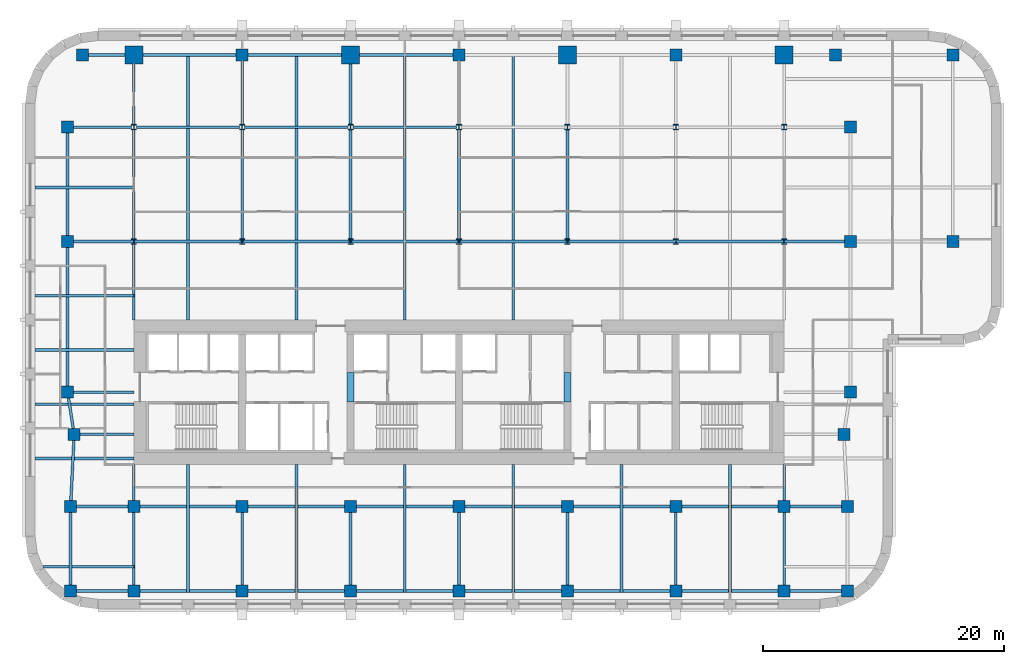
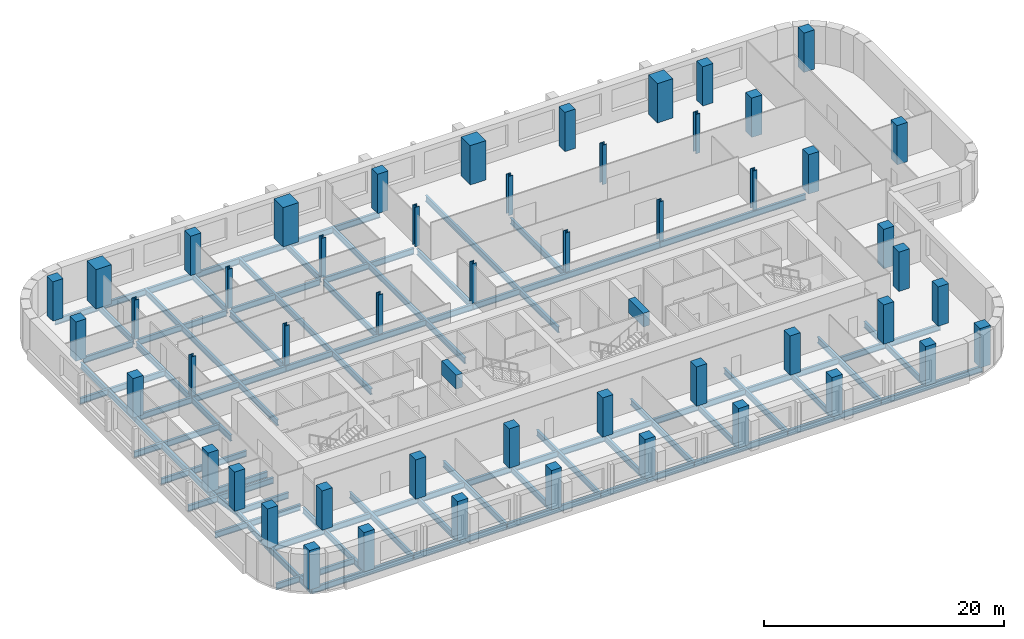
# One storey, part 1 of 10: 58 beams, 51 columns.
"""IFC4 building model written with IfcOpenShell, lengths in metres."""

import ifcopenshell
import ifcopenshell.guid

model = None  # the IFC model being written
_history = None  # IfcOwnerHistory: only IFC2X3 demands one
_inside = {}  # id of a spatial element -> (the spatial element, [elements in it])
_under = {}  # id of a project, library or spatial element -> (it, [spatial elements below it])
_declared = {}  # id of a project -> (the project, [libraries it declares])
_typed = {}  # id of a type object -> (the type object, [elements of that type])
_made_of = {}  # id of a material, layer set ... -> (it, [elements and type objects made of it])


def new_model(schema):
    """Start an empty IFC model of exactly this schema.

    Asked for "IFC4X3", IfcOpenShell would pick the latest addendum, in which some entities
    have other attributes; the version numbers below select the first issue.
    IFC2X3 requires an IfcOwnerHistory on every rooted entity: one is made here for all.
    """
    global model, _history
    if schema == "IFC4X3":
        model = ifcopenshell.file(schema_version=(4, 3, 0, 0))
    else:
        model = ifcopenshell.file(schema=schema)
    _inside.clear()
    _under.clear()
    _declared.clear()
    _typed.clear()
    _made_of.clear()
    _history = None
    if model.schema == "IFC2X3":
        org = make("IfcOrganization", Name="unknown")
        user = make(
            "IfcPersonAndOrganization",
            ThePerson=make("IfcPerson", FamilyName="unknown"),
            TheOrganization=org,
        )
        app = make(
            "IfcApplication",
            ApplicationDeveloper=org,
            Version="unknown",
            ApplicationFullName="unknown",
            ApplicationIdentifier="unknown",
        )
        _history = make(
            "IfcOwnerHistory",
            OwningUser=user,
            OwningApplication=app,
            ChangeAction="ADDED",
            CreationDate=0,
        )
    return model


def make(cls, **values):
    """One entity of the class cls with the attributes given. An attribute that is None is left unset."""
    return model.create_entity(
        cls, **{name: value for name, value in values.items() if value is not None}
    )


def rooted(cls, **values):
    """An entity with a GlobalId (a new one), such as an element, a storey or a relation."""
    return make(cls, GlobalId=ifcopenshell.guid.new(), OwnerHistory=_history, **values)


def si_unit(unit_type, name, prefix=None):
    """IfcSIUnit, for example si_unit("LENGTHUNIT", "METRE", prefix="MILLI")."""
    return make("IfcSIUnit", UnitType=unit_type, Prefix=prefix, Name=name)


def assignment(units):
    """IfcUnitAssignment: the units of a project."""
    return None if units is None else make("IfcUnitAssignment", Units=units)


def point(xyz):
    """IfcCartesianPoint."""
    return None if xyz is None else make("IfcCartesianPoint", Coordinates=xyz)


def direction(xyz):
    """IfcDirection."""
    return None if xyz is None else make("IfcDirection", DirectionRatios=xyz)


def frame(location, z_axis=None, x_axis=None):
    """IfcAxis2Placement3D, a coordinate frame: its origin and axes. An axis left out is left unset."""
    return make(
        "IfcAxis2Placement3D",
        Location=point(location),
        Axis=direction(z_axis),
        RefDirection=direction(x_axis),
    )


def frame_2d(location, x_axis=None):
    """IfcAxis2Placement2D, a coordinate frame in the plane: its origin and x axis."""
    return make(
        "IfcAxis2Placement2D", Location=point(location), RefDirection=direction(x_axis)
    )


def origin():
    """The frame at (0, 0, 0) with its axes left unset."""
    return frame((0.0, 0.0, 0.0))


def origin_2d():
    """The frame at (0, 0) in the plane with its x axis left unset."""
    return frame_2d((0.0, 0.0))


def place(relative_to, where):
    """IfcLocalPlacement: puts the frame where relative to a parent placement (None: the world)."""
    return make(
        "IfcLocalPlacement", PlacementRelTo=relative_to, RelativePlacement=where
    )


def context(
    kind, dimensions, precision=None, world=None, true_north=None, identifier=None
):
    """IfcGeometricRepresentationContext, for example the 3D "Model" context."""
    return make(
        "IfcGeometricRepresentationContext",
        ContextIdentifier=identifier,
        ContextType=kind,
        CoordinateSpaceDimension=dimensions,
        Precision=precision,
        WorldCoordinateSystem=world,
        TrueNorth=true_north,
    )


def subcontext(parent, identifier, kind, view, scale=None):
    """IfcGeometricRepresentationSubContext, for example "Body" below "Model"."""
    return make(
        "IfcGeometricRepresentationSubContext",
        ContextIdentifier=identifier,
        ContextType=kind,
        ParentContext=parent,
        TargetScale=scale,
        TargetView=view,
    )


def project(units=None, contexts=None):
    """IfcProject with its units and contexts."""
    return rooted(
        "IfcProject",
        Name="project",
        RepresentationContexts=contexts,
        UnitsInContext=assignment(units),
    )


def spatial(cls, under=None, at=None, **own):
    """A site, building, storey or space (cls), placed at a placement, below another one or the project."""
    s = rooted(cls, ObjectPlacement=at, **own)
    if under is not None:
        _under.setdefault(under.id(), (under, []))[1].append(s)
    return s


def profile(cls, at=None, kind="AREA", **sizes):
    """A parametric profile (cls). Its sizes go by their IFC names, for example OverallWidth=200.0."""
    return make(cls, ProfileType=kind, Position=at, **sizes)


def rectangle(**sizes):
    """IfcRectangleProfileDef."""
    return profile("IfcRectangleProfileDef", **sizes)


def i_section(**sizes):
    """IfcIShapeProfileDef."""
    return profile("IfcIShapeProfileDef", **sizes)


def extrude(swept, where, along, depth):
    """IfcExtrudedAreaSolid: the profile swept, set in the frame where, extruded along a direction by depth."""
    return make(
        "IfcExtrudedAreaSolid",
        SweptArea=swept,
        Position=where,
        ExtrudedDirection=direction(along),
        Depth=depth,
    )


def shape(context_of_items, identifier, shape_type, items):
    """IfcShapeRepresentation: the items that make up one representation, for example the "Body"."""
    return make(
        "IfcShapeRepresentation",
        ContextOfItems=context_of_items,
        RepresentationIdentifier=identifier,
        RepresentationType=shape_type,
        Items=items,
    )


def material(Name=None, Category=None):
    """IfcMaterial."""
    return make("IfcMaterial", Name=Name, Category=Category)


def material_profile(
    of_material, cross_section, Name=None, Category=None, Priority=None
):
    """IfcMaterialProfile: a cross section and its material."""
    return make(
        "IfcMaterialProfile",
        Name=Name,
        Material=of_material,
        Profile=cross_section,
        Priority=Priority,
        Category=Category,
    )


def profile_set(profiles, Name=None, composite=None):
    """IfcMaterialProfileSet."""
    return make(
        "IfcMaterialProfileSet",
        Name=Name,
        MaterialProfiles=profiles,
        CompositeProfile=composite,
    )


def made_of(thing, what):
    """Note that an element or type object is made of a material, layer set ...; save() writes the relation."""
    if what is not None:
        _made_of.setdefault(what.id(), (what, []))[1].append(thing)
    return thing


def type_object(cls, material=None, **own):
    """A type object (cls), such as IfcWallType, which elements share."""
    return made_of(rooted(cls, **own), material)


def element(
    cls,
    number,
    at=None,
    inside=None,
    cuts=None,
    type_object=None,
    material=None,
    context=None,
    identifier="Body",
    shape_type=None,
    held_by="IfcProductDefinitionShape",
    body=None,
    shapes=None,
    **own,
):
    """One element of the class cls, such as IfcWall. Its Tag is "e" and its number.

    at: its placement. inside: the storey or other place that contains it. cuts: it is an
    opening in that element (IfcRelVoidsElement). A single representation is given by context,
    identifier, shape_type and body (its items); several are given by shapes. held_by: the class
    of the entity that holds the representations. save() writes the other relations.
    """
    e = rooted(cls, Tag="e%d" % number, ObjectPlacement=at, **own)
    if body is not None:
        shapes = [shape(context, identifier, shape_type, body)]
    if shapes is not None:
        e.Representation = make(held_by, Representations=shapes)
    if inside is not None:
        _inside.setdefault(inside.id(), (inside, []))[1].append(e)
    if cuts is not None:
        rooted(
            "IfcRelVoidsElement", RelatingBuildingElement=cuts, RelatedOpeningElement=e
        )
    if type_object is not None:
        _typed.setdefault(type_object.id(), (type_object, []))[1].append(e)
    return made_of(e, material)


def aggregate(whole, parts):
    """IfcRelAggregates: a whole, such as a stair, and the parts it consists of."""
    return rooted("IfcRelAggregates", RelatingObject=whole, RelatedObjects=parts)


def save(model, path):
    """Write the relations noted so far, then the file.

    IfcRelAggregates (storeys below a building ...), IfcRelContainedInSpatialStructure (elements
    in a storey), IfcRelDefinesByType, IfcRelAssociatesMaterial and IfcRelDeclares: one each for
    every whole, place, type object, material and project.
    """
    for whole, parts in _under.values():
        aggregate(whole, parts)
    for where, things in _inside.values():
        rooted(
            "IfcRelContainedInSpatialStructure",
            RelatedElements=things,
            RelatingStructure=where,
        )
    for kind, things in _typed.values():
        rooted("IfcRelDefinesByType", RelatedObjects=things, RelatingType=kind)
    for what, things in _made_of.values():
        rooted("IfcRelAssociatesMaterial", RelatedObjects=things, RelatingMaterial=what)
    for by, libraries in _declared.values():
        rooted("IfcRelDeclares", RelatingContext=by, RelatedDefinitions=libraries)
    model.write(path)


model = new_model("IFC4")

# Units and contexts
model_context = context("Model", 3, precision=1e-05, world=origin(), true_north=direction((0.0, 1.0)))
body_context = subcontext(model_context, "Body", "Model", "MODEL_VIEW")
ifc_project = project(units=[si_unit("LENGTHUNIT", "METRE"), si_unit("AREAUNIT", "SQUARE_METRE"), si_unit("VOLUMEUNIT", "CUBIC_METRE"), si_unit("PLANEANGLEUNIT", "RADIAN"), si_unit("MASSUNIT", "GRAM", prefix="KILO")], contexts=[model_context])

# Site, building, storey
site_placement = place(None, origin())
site = spatial("IfcSite", under=ifc_project, at=site_placement, CompositionType="ELEMENT")
building_placement = place(site_placement, origin())
building = spatial("IfcBuilding", under=site, at=building_placement, Name="Zellij Exchange Tower", CompositionType="ELEMENT")
storey_placement = place(building_placement, frame((0.0, 0.0, 124.5)))
storey = spatial("IfcBuildingStorey", under=building, at=storey_placement, Name="L27", CompositionType="ELEMENT", Elevation=124.5)

# Columns
ifc_material_1 = material(Name="Concrete C70/85", Category="concrete")
ifc_material_profile_1 = material_profile(ifc_material_1, rectangle(XDim=1.0, YDim=1.0, at=origin_2d()), Name="STR-COLUMN RC1000x1000 C70/85")
ifc_profile_set_1 = profile_set([ifc_material_profile_1], Name="Concrete C70/85")
column_type_1 = type_object("IfcColumnType", Name="STR-COLUMN RC1000x1000 C70/85", PredefinedType="COLUMN", material=ifc_profile_set_1)
for number, where, z_axis, x_axis, name in (
    (1, (-32.25, -24.5, 0.0), (0.0, 0.0, 1.0), (1.0, 0.0, 0.0), "C10"),
    (2, (-27.0, -24.5, 0.0), (0.0, 0.0, 1.0), (1.0, 0.0, 0.0), "C10"),
    (3, (-18.0, -24.5, 0.0), (0.0, 0.0, 1.0), (1.0, 0.0, 0.0), "C10"),
    (4, (-9.0, -24.5, 0.0), (0.0, 0.0, 1.0), (1.0, 0.0, 0.0), "C10"),
    (5, (0.0, -24.5, 0.0), (0.0, 0.0, 1.0), (1.0, 0.0, 0.0), "C10"),
    (6, (9.0, -24.5, 0.0), (0.0, 0.0, 1.0), (1.0, 0.0, 0.0), "C10"),
    (7, (18.0, -24.5, 0.0), (0.0, 0.0, 1.0), (1.0, 0.0, 0.0), "C10"),
    (8, (27.0, -24.5, 0.0), (0.0, 0.0, 1.0), (1.0, 0.0, 0.0), "C10"),
    (9, (32.25, -24.5, 0.0), (0.0, 0.0, 1.0), (1.0, 0.0, 0.0), "C10"),
    (10, (-32.25, -17.5, 0.0), (0.0, 0.0, 1.0), (1.0, 0.0, 0.0), "C10"),
    (11, (-27.0, -17.5, 0.0), (0.0, 0.0, 1.0), (1.0, 0.0, 0.0), "C10"),
    (12, (-18.0, -17.5, 0.0), (0.0, 0.0, 1.0), (1.0, 0.0, 0.0), "C10"),
    (13, (-9.0, -17.5, 0.0), (0.0, 0.0, 1.0), (1.0, 0.0, 0.0), "C10"),
    (14, (0.0, -17.5, 0.0), (0.0, 0.0, 1.0), (1.0, 0.0, 0.0), "C10"),
    (15, (9.0, -17.5, 0.0), (0.0, 0.0, 1.0), (1.0, 0.0, 0.0), "C10"),
    (16, (18.0, -17.5, 0.0), (0.0, 0.0, 1.0), (1.0, 0.0, 0.0), "C10"),
    (17, (27.0, -17.5, 0.0), (0.0, 0.0, 1.0), (1.0, 0.0, 0.0), "C10"),
    (18, (32.25, -17.5, 0.0), (0.0, 0.0, 1.0), (1.0, 0.0, 0.0), "C10"),
    (19, (-31.949951171875, -11.5, 0.0), (0.0, 0.0, 1.0), (1.0, 0.0, 0.0), "C10"),
    (20, (31.949951171875, -11.5, 0.0), (0.0, 0.0, 1.0), (1.0, 0.0, 0.0), "C10"),
    (21, (-32.5, -8.0, 0.0), (0.0, 0.0, 1.0), (1.0, 0.0, 0.0), "C10"),
    (22, (32.5, -8.0, 0.0), (0.0, 0.0, 1.0), (1.0, 0.0, 0.0), "C10"),
    (23, (-32.5, 4.5, 0.0), (0.0, 0.0, 1.0), (1.0, 0.0, 0.0), "C10"),
    (24, (32.5, 4.5, 0.0), (0.0, 0.0, 1.0), (1.0, 0.0, 0.0), "C10"),
    (25, (41.0, 4.5, 0.0), (0.0, 0.0, 1.0), (1.0, 0.0, 0.0), "C10"),
    (26, (-32.5, 14.0, 0.0), (0.0, 0.0, 1.0), (1.0, 0.0, 0.0), "C10"),
    (27, (32.5, 14.0, 0.0), (0.0, 0.0, 1.0), (1.0, 0.0, 0.0), "C10"),
    (28, (-31.25, 20.0, 0.0), (0.0, 0.0, 1.0), (1.0, 0.0, 0.0), "C10"),
    (29, (-18.0, 20.0, 0.0), (0.0, 0.0, 1.0), (1.0, 0.0, 0.0), "C10"),
    (30, (0.0, 20.0, 0.0), (0.0, 0.0, 1.0), (1.0, 0.0, 0.0), "C10"),
    (31, (18.0, 20.0, 0.0), (0.0, 0.0, 1.0), (1.0, 0.0, 0.0), "C10"),
    (32, (31.25, 20.0, 0.0), (0.0, 0.0, 1.0), (1.0, 0.0, 0.0), "C10"),
    (33, (41.0, 20.0, 0.0), (0.0, 0.0, 1.0), (1.0, 0.0, 0.0), "C10"),
):
    element("IfcColumn", number, at=place(storey_placement, frame(where, z_axis=z_axis, x_axis=x_axis)), inside=storey, type_object=column_type_1, Name=name, PredefinedType="COLUMN", context=body_context, shape_type="SweptSolid", body=[
        extrude(rectangle(XDim=1.0, YDim=1.0, at=origin_2d()), origin(), (0.0, 0.0, 1.0), 4.0),
    ])
ifc_material_2 = material(Name="Structural steel ASTM A913 Gr 65", Category="steel")
ifc_material_profile_2 = material_profile(ifc_material_2, i_section(OverallWidth=0.419189453125, OverallDepth=0.45458984375, WebThickness=0.042236328125, FlangeThickness=0.067626953125, at=origin_2d()), Name="W14x370")
ifc_profile_set_2 = profile_set([ifc_material_profile_2], Name="Structural steel ASTM A913 Gr 65")
column_type_2 = type_object("IfcColumnType", Name="STR-COLUMN W14x370", PredefinedType="COLUMN", material=ifc_profile_set_2)
for number, where, z_axis, x_axis, name in (
    (34, (-27.0, 4.5, 0.0), (0.0, 0.0, 1.0), (1.0, 0.0, 0.0), "C4"),
    (35, (-18.0, 4.5, 0.0), (0.0, 0.0, 1.0), (1.0, 0.0, 0.0), "C4"),
    (36, (-9.0, 4.5, 0.0), (0.0, 0.0, 1.0), (1.0, 0.0, 0.0), "C4"),
    (37, (0.0, 4.5, 0.0), (0.0, 0.0, 1.0), (1.0, 0.0, 0.0), "C4"),
    (38, (9.0, 4.5, 0.0), (0.0, 0.0, 1.0), (1.0, 0.0, 0.0), "C4"),
    (39, (18.0, 4.5, 0.0), (0.0, 0.0, 1.0), (1.0, 0.0, 0.0), "C4"),
    (40, (27.0, 4.5, 0.0), (0.0, 0.0, 1.0), (1.0, 0.0, 0.0), "C4"),
    (41, (-27.0, 14.0, 0.0), (0.0, 0.0, 1.0), (1.0, 0.0, 0.0), "C4"),
    (42, (-18.0, 14.0, 0.0), (0.0, 0.0, 1.0), (1.0, 0.0, 0.0), "C4"),
    (43, (-9.0, 14.0, 0.0), (0.0, 0.0, 1.0), (1.0, 0.0, 0.0), "C4"),
    (44, (0.0, 14.0, 0.0), (0.0, 0.0, 1.0), (1.0, 0.0, 0.0), "C4"),
    (45, (9.0, 14.0, 0.0), (0.0, 0.0, 1.0), (1.0, 0.0, 0.0), "C4"),
    (46, (18.0, 14.0, 0.0), (0.0, 0.0, 1.0), (1.0, 0.0, 0.0), "C4"),
    (47, (27.0, 14.0, 0.0), (0.0, 0.0, 1.0), (1.0, 0.0, 0.0), "C4"),
):
    element("IfcColumn", number, at=place(storey_placement, frame(where, z_axis=z_axis, x_axis=x_axis)), inside=storey, type_object=column_type_2, Name=name, PredefinedType="COLUMN", context=body_context, shape_type="SweptSolid", body=[
        extrude(i_section(OverallWidth=0.419189453125, OverallDepth=0.45458984375, WebThickness=0.042236328125, FlangeThickness=0.067626953125, at=origin_2d()), origin(), (0.0, 0.0, 1.0), 4.0),
    ])
ifc_material_profile_3 = material_profile(ifc_material_1, rectangle(XDim=1.5, YDim=1.5, at=origin_2d()), Name="STR-MEGA COLUMN RC1500x1500 C70/85")
ifc_profile_set_3 = profile_set([ifc_material_profile_3], Name="Concrete C70/85")
column_type_3 = type_object("IfcColumnType", Name="STR-MEGA COLUMN RC1500x1500 C70/85", PredefinedType="COLUMN", material=ifc_profile_set_3)
for number, where, z_axis, x_axis, name in (
    (48, (-27.0, 20.0, 0.0), (0.0, 0.0, 1.0), (1.0, 0.0, 0.0), "MC5"),
    (49, (-9.0, 20.0, 0.0), (0.0, 0.0, 1.0), (1.0, 0.0, 0.0), "MC5"),
    (50, (9.0, 20.0, 0.0), (0.0, 0.0, 1.0), (1.0, 0.0, 0.0), "MC5"),
    (51, (27.0, 20.0, 0.0), (0.0, 0.0, 1.0), (1.0, 0.0, 0.0), "MC5"),
):
    element("IfcColumn", number, at=place(storey_placement, frame(where, z_axis=z_axis, x_axis=x_axis)), inside=storey, type_object=column_type_3, Name=name, PredefinedType="COLUMN", context=body_context, shape_type="SweptSolid", body=[
        extrude(rectangle(XDim=1.5, YDim=1.5, at=origin_2d()), origin(), (0.0, 0.0, 1.0), 4.0),
    ])

# Beams
ifc_material_profile_4 = material_profile(ifc_material_1, rectangle(XDim=0.60009765625, YDim=1.39990234375, at=origin_2d()), Name="CORE-CB 600x1400 C70/85")
ifc_profile_set_4 = profile_set([ifc_material_profile_4], Name="Concrete C70/85")
beam_type_1 = type_object("IfcBeamType", Name="CORE-CB 600x1400 C70/85", PredefinedType="BEAM", material=ifc_profile_set_4)
for number, where, z_axis, x_axis, name in (
    (52, (-9.0, -8.800048828125, 3.10009765625), (0.0, 1.0, 0.0), (-1.0, 0.0, 0.0), "Core coupling beam x -9 L27"),
    (53, (9.0, -8.800048828125, 3.10009765625), (0.0, 1.0, 0.0), (-1.0, 0.0, 0.0), "Core coupling beam x 9 L27"),
):
    element("IfcBeam", number, at=place(storey_placement, frame(where, z_axis=z_axis, x_axis=x_axis)), inside=storey, type_object=beam_type_1, Name=name, PredefinedType="BEAM", context=body_context, shape_type="SweptSolid", body=[
        extrude(rectangle(XDim=0.60009765625, YDim=1.39990234375, at=origin_2d()), origin(), (0.0, 0.0, 1.0), 2.425048828125),
    ])
ifc_material_3 = material(Name="Structural steel ASTM A992 Gr 50", Category="steel")
ifc_material_profile_5 = material_profile(ifc_material_3, i_section(OverallWidth=0.227783203125, OverallDepth=0.60205078125, WebThickness=0.010498046875, FlangeThickness=0.014892578125, at=origin_2d()), Name="W24x68")
ifc_profile_set_5 = profile_set([ifc_material_profile_5], Name="Structural steel ASTM A992 Gr 50")
beam_type_2 = type_object("IfcBeamType", Name="STR-BEAM W24x68", PredefinedType="BEAM", material=ifc_profile_set_5)
beam_1_placement = place(storey_placement, frame((-22.5, -24.614501953125, -0.5009765625), z_axis=(0.0, 1.0, 0.0), x_axis=(-1.0, 0.0, 0.0)))
element("IfcBeam", 54, at=beam_1_placement, inside=storey, type_object=beam_type_2, Name="B5", PredefinedType="BEAM", context=body_context, shape_type="SweptSolid", body=[
    extrude(i_section(OverallWidth=0.227783203125, OverallDepth=0.60205078125, WebThickness=0.010498046875, FlangeThickness=0.014892578125, at=origin_2d()), origin(), (0.0, 0.0, 1.0), 10.614501953125),
])
beam_2_placement = place(storey_placement, frame((-22.5, -2.0, -0.5009765625), z_axis=(0.0, 1.0, 0.0), x_axis=(-1.0, 0.0, 0.0)))
element("IfcBeam", 55, at=beam_2_placement, inside=storey, type_object=beam_type_2, Name="B5", PredefinedType="BEAM", context=body_context, shape_type="SweptSolid", body=[
    extrude(i_section(OverallWidth=0.227783203125, OverallDepth=0.60205078125, WebThickness=0.010498046875, FlangeThickness=0.014892578125, at=origin_2d()), origin(), (0.0, 0.0, 1.0), 22.114501953125),
])
beam_3_placement = place(storey_placement, frame((-13.5, -24.614501953125, -0.5009765625), z_axis=(0.0, 1.0, 0.0), x_axis=(-1.0, 0.0, 0.0)))
element("IfcBeam", 56, at=beam_3_placement, inside=storey, type_object=beam_type_2, Name="B5", PredefinedType="BEAM", context=body_context, shape_type="SweptSolid", body=[
    extrude(i_section(OverallWidth=0.227783203125, OverallDepth=0.60205078125, WebThickness=0.010498046875, FlangeThickness=0.014892578125, at=origin_2d()), origin(), (0.0, 0.0, 1.0), 10.614501953125),
])
beam_4_placement = place(storey_placement, frame((-13.5, -2.0, -0.5009765625), z_axis=(0.0, 1.0, 0.0), x_axis=(-1.0, 0.0, 0.0)))
element("IfcBeam", 57, at=beam_4_placement, inside=storey, type_object=beam_type_2, Name="B5", PredefinedType="BEAM", context=body_context, shape_type="SweptSolid", body=[
    extrude(i_section(OverallWidth=0.227783203125, OverallDepth=0.60205078125, WebThickness=0.010498046875, FlangeThickness=0.014892578125, at=origin_2d()), origin(), (0.0, 0.0, 1.0), 22.114501953125),
])
beam_5_placement = place(storey_placement, frame((-4.5, -24.614501953125, -0.5009765625), z_axis=(0.0, 1.0, 0.0), x_axis=(-1.0, 0.0, 0.0)))
element("IfcBeam", 58, at=beam_5_placement, inside=storey, type_object=beam_type_2, Name="B5", PredefinedType="BEAM", context=body_context, shape_type="SweptSolid", body=[
    extrude(i_section(OverallWidth=0.227783203125, OverallDepth=0.60205078125, WebThickness=0.010498046875, FlangeThickness=0.014892578125, at=origin_2d()), origin(), (0.0, 0.0, 1.0), 10.614501953125),
])
beam_6_placement = place(storey_placement, frame((-4.5, -2.0, -0.5009765625), z_axis=(0.0, 1.0, 0.0), x_axis=(-1.0, 0.0, 0.0)))
element("IfcBeam", 59, at=beam_6_placement, inside=storey, type_object=beam_type_2, Name="B5", PredefinedType="BEAM", context=body_context, shape_type="SweptSolid", body=[
    extrude(i_section(OverallWidth=0.227783203125, OverallDepth=0.60205078125, WebThickness=0.010498046875, FlangeThickness=0.014892578125, at=origin_2d()), origin(), (0.0, 0.0, 1.0), 22.114501953125),
])
beam_7_placement = place(storey_placement, frame((4.5, -24.614501953125, -0.5009765625), z_axis=(0.0, 1.0, 0.0), x_axis=(-1.0, 0.0, 0.0)))
element("IfcBeam", 60, at=beam_7_placement, inside=storey, type_object=beam_type_2, Name="B5", PredefinedType="BEAM", context=body_context, shape_type="SweptSolid", body=[
    extrude(i_section(OverallWidth=0.227783203125, OverallDepth=0.60205078125, WebThickness=0.010498046875, FlangeThickness=0.014892578125, at=origin_2d()), origin(), (0.0, 0.0, 1.0), 10.614501953125),
])
beam_8_placement = place(storey_placement, frame((4.5, -2.0, -0.5009765625), z_axis=(0.0, 1.0, 0.0), x_axis=(-1.0, 0.0, 0.0)))
element("IfcBeam", 61, at=beam_8_placement, inside=storey, type_object=beam_type_2, Name="B5", PredefinedType="BEAM", context=body_context, shape_type="SweptSolid", body=[
    extrude(i_section(OverallWidth=0.227783203125, OverallDepth=0.60205078125, WebThickness=0.010498046875, FlangeThickness=0.014892578125, at=origin_2d()), origin(), (0.0, 0.0, 1.0), 22.114501953125),
])
for number, where, z_axis, x_axis, name in (
    (62, (13.5, -24.614501953125, -0.5009765625), (0.0, 1.0, 0.0), (-1.0, 0.0, 0.0), "B5"),
    (63, (22.5, -24.614501953125, -0.5009765625), (0.0, 1.0, 0.0), (-1.0, 0.0, 0.0), "B5"),
):
    element("IfcBeam", number, at=place(storey_placement, frame(where, z_axis=z_axis, x_axis=x_axis)), inside=storey, type_object=beam_type_2, Name=name, PredefinedType="BEAM", context=body_context, shape_type="SweptSolid", body=[
        extrude(i_section(OverallWidth=0.227783203125, OverallDepth=0.60205078125, WebThickness=0.010498046875, FlangeThickness=0.014892578125, at=origin_2d()), origin(), (0.0, 0.0, 1.0), 10.614501953125),
    ])
beam_9_placement = place(storey_placement, frame((-34.537109375, -22.5, -0.5009765625), z_axis=(1.0, 0.0, 0.0), x_axis=(0.0, 1.0, 0.0)))
element("IfcBeam", 64, at=beam_9_placement, inside=storey, type_object=beam_type_2, Name="B5", PredefinedType="BEAM", context=body_context, shape_type="SweptSolid", body=[
    extrude(i_section(OverallWidth=0.227783203125, OverallDepth=0.60205078125, WebThickness=0.010498046875, FlangeThickness=0.014892578125, at=origin_2d()), origin(), (0.0, 0.0, 1.0), 7.537109375),
])
for number, where, z_axis, x_axis, name in (
    (65, (-35.199951171875, -13.5, -0.5009765625), (1.0, 0.0, 0.0), (0.0, 1.0, 0.0), "B5"),
    (66, (-35.199951171875, -9.0, -0.5009765625), (1.0, 0.0, 0.0), (0.0, 1.0, 0.0), "B5"),
    (67, (-35.199951171875, -4.5, -0.5009765625), (1.0, 0.0, 0.0), (0.0, 1.0, 0.0), "B5"),
    (68, (-35.199951171875, 0.0, -0.5009765625), (1.0, 0.0, 0.0), (0.0, 1.0, 0.0), "B5"),
    (69, (-35.199951171875, 9.0, -0.5009765625), (1.0, 0.0, 0.0), (0.0, 1.0, 0.0), "B5"),
):
    element("IfcBeam", number, at=place(storey_placement, frame(where, z_axis=z_axis, x_axis=x_axis)), inside=storey, type_object=beam_type_2, Name=name, PredefinedType="BEAM", context=body_context, shape_type="SweptSolid", body=[
        extrude(i_section(OverallWidth=0.227783203125, OverallDepth=0.60205078125, WebThickness=0.010498046875, FlangeThickness=0.014892578125, at=origin_2d()), origin(), (0.0, 0.0, 1.0), 8.199951171875),
    ])
ifc_material_profile_6 = material_profile(ifc_material_3, i_section(OverallWidth=0.22900390625, OverallDepth=0.612060546875, WebThickness=0.011962890625, FlangeThickness=0.01953125, at=origin_2d()), Name="W24x84")
ifc_profile_set_6 = profile_set([ifc_material_profile_6], Name="Structural steel ASTM A992 Gr 50")
beam_type_3 = type_object("IfcBeamType", Name="STR-EDGE GIRDER W24x84", PredefinedType="BEAM", material=ifc_profile_set_6)
beam_10_placement = place(storey_placement, frame((-32.25, -24.5, -0.506103515625), z_axis=(0.0, 1.0, 0.0), x_axis=(-1.0, 0.0, 0.0)))
element("IfcBeam", 70, at=beam_10_placement, inside=storey, type_object=beam_type_3, Name="EB6", PredefinedType="BEAM", context=body_context, shape_type="SweptSolid", body=[
    extrude(i_section(OverallWidth=0.22900390625, OverallDepth=0.612060546875, WebThickness=0.011962890625, FlangeThickness=0.01953125, at=origin_2d()), origin(), (0.0, 0.0, 1.0), 7.0),
])
beam_11_placement = place(storey_placement, frame((-32.25, -17.5, -0.506103515625), z_axis=(0.049945724537, 0.998751933465, 0.0), x_axis=(-0.998751933465, 0.049945724537, 0.0)))
element("IfcBeam", 71, at=beam_11_placement, inside=storey, type_object=beam_type_3, Name="EB6", PredefinedType="BEAM", context=body_context, shape_type="SweptSolid", body=[
    extrude(i_section(OverallWidth=0.22900390625, OverallDepth=0.612060546875, WebThickness=0.011962890625, FlangeThickness=0.01953125, at=origin_2d()), origin(), (0.0, 0.0, 1.0), 6.007568359375),
])
beam_12_placement = place(storey_placement, frame((-31.949951171875, -11.5, -0.506103515625), z_axis=(-0.155251283593, 0.987875011802, 0.0), x_axis=(-0.987875011802, -0.155251283593, 0.0)))
element("IfcBeam", 72, at=beam_12_placement, inside=storey, type_object=beam_type_3, Name="EB6", PredefinedType="BEAM", context=body_context, shape_type="SweptSolid", body=[
    extrude(i_section(OverallWidth=0.22900390625, OverallDepth=0.612060546875, WebThickness=0.011962890625, FlangeThickness=0.01953125, at=origin_2d()), origin(), (0.0, 0.0, 1.0), 3.54296875),
])
beam_13_placement = place(storey_placement, frame((-32.5, -8.0, -0.506103515625), z_axis=(0.0, 1.0, 0.0), x_axis=(-1.0, 0.0, 0.0)))
element("IfcBeam", 73, at=beam_13_placement, inside=storey, type_object=beam_type_3, Name="EB6", PredefinedType="BEAM", context=body_context, shape_type="SweptSolid", body=[
    extrude(i_section(OverallWidth=0.22900390625, OverallDepth=0.612060546875, WebThickness=0.011962890625, FlangeThickness=0.01953125, at=origin_2d()), origin(), (0.0, 0.0, 1.0), 12.5),
])
beam_14_placement = place(storey_placement, frame((-32.5, 4.5, -0.506103515625), z_axis=(0.0, 1.0, 0.0), x_axis=(-1.0, 0.0, 0.0)))
element("IfcBeam", 74, at=beam_14_placement, inside=storey, type_object=beam_type_3, Name="EB6", PredefinedType="BEAM", context=body_context, shape_type="SweptSolid", body=[
    extrude(i_section(OverallWidth=0.22900390625, OverallDepth=0.612060546875, WebThickness=0.011962890625, FlangeThickness=0.01953125, at=origin_2d()), origin(), (0.0, 0.0, 1.0), 9.0),
])
ifc_material_profile_7 = material_profile(ifc_material_3, i_section(OverallWidth=0.22900390625, OverallDepth=0.612060546875, WebThickness=0.011962890625, FlangeThickness=0.01953125, at=origin_2d()), Name="W24x84")
ifc_profile_set_7 = profile_set([ifc_material_profile_7], Name="Structural steel ASTM A992 Gr 50")
beam_type_4 = type_object("IfcBeamType", Name="STR-GIRDER W24x84", PredefinedType="BEAM", material=ifc_profile_set_7)
beam_15_placement = place(storey_placement, frame((-32.25, -24.5, -0.506103515625), z_axis=(1.0, 0.0, 0.0), x_axis=(0.0, 1.0, 0.0)))
element("IfcBeam", 75, at=beam_15_placement, inside=storey, type_object=beam_type_4, Name="G4", PredefinedType="BEAM", context=body_context, shape_type="SweptSolid", body=[
    extrude(i_section(OverallWidth=0.22900390625, OverallDepth=0.612060546875, WebThickness=0.011962890625, FlangeThickness=0.01953125, at=origin_2d()), origin(), (0.0, 0.0, 1.0), 14.25),
])
for number, where, z_axis, x_axis, name in (
    (76, (-18.0, -24.5, -0.506103515625), (1.0, 0.0, 0.0), (0.0, 1.0, 0.0), "G4"),
    (77, (0.0, -24.5, -0.506103515625), (1.0, 0.0, 0.0), (0.0, 1.0, 0.0), "G4"),
):
    element("IfcBeam", number, at=place(storey_placement, frame(where, z_axis=z_axis, x_axis=x_axis)), inside=storey, type_object=beam_type_4, Name=name, PredefinedType="BEAM", context=body_context, shape_type="SweptSolid", body=[
        extrude(i_section(OverallWidth=0.22900390625, OverallDepth=0.612060546875, WebThickness=0.011962890625, FlangeThickness=0.01953125, at=origin_2d()), origin(), (0.0, 0.0, 1.0), 18.0),
    ])
for number, where, z_axis, x_axis, name in (
    (78, (18.0, -24.5, -0.506103515625), (1.0, 0.0, 0.0), (0.0, 1.0, 0.0), "G4"),
    (79, (-32.25, -17.5, -0.506103515625), (1.0, 0.0, 0.0), (0.0, 1.0, 0.0), "G4"),
):
    element("IfcBeam", number, at=place(storey_placement, frame(where, z_axis=z_axis, x_axis=x_axis)), inside=storey, type_object=beam_type_4, Name=name, PredefinedType="BEAM", context=body_context, shape_type="SweptSolid", body=[
        extrude(i_section(OverallWidth=0.22900390625, OverallDepth=0.612060546875, WebThickness=0.011962890625, FlangeThickness=0.01953125, at=origin_2d()), origin(), (0.0, 0.0, 1.0), 14.25),
    ])
for number, where, z_axis, x_axis, name in (
    (80, (-18.0, -17.5, -0.506103515625), (1.0, 0.0, 0.0), (0.0, 1.0, 0.0), "G4"),
    (81, (0.0, -17.5, -0.506103515625), (1.0, 0.0, 0.0), (0.0, 1.0, 0.0), "G4"),
):
    element("IfcBeam", number, at=place(storey_placement, frame(where, z_axis=z_axis, x_axis=x_axis)), inside=storey, type_object=beam_type_4, Name=name, PredefinedType="BEAM", context=body_context, shape_type="SweptSolid", body=[
        extrude(i_section(OverallWidth=0.22900390625, OverallDepth=0.612060546875, WebThickness=0.011962890625, FlangeThickness=0.01953125, at=origin_2d()), origin(), (0.0, 0.0, 1.0), 18.0),
    ])
beam_16_placement = place(storey_placement, frame((18.0, -17.5, -0.506103515625), z_axis=(1.0, 0.0, 0.0), x_axis=(0.0, 1.0, 0.0)))
element("IfcBeam", 82, at=beam_16_placement, inside=storey, type_object=beam_type_4, Name="G4", PredefinedType="BEAM", context=body_context, shape_type="SweptSolid", body=[
    extrude(i_section(OverallWidth=0.22900390625, OverallDepth=0.612060546875, WebThickness=0.011962890625, FlangeThickness=0.01953125, at=origin_2d()), origin(), (0.0, 0.0, 1.0), 14.25),
])
beam_17_placement = place(storey_placement, frame((-31.949951171875, -11.5, -0.506103515625), z_axis=(1.0, 0.0, 0.0), x_axis=(0.0, 1.0, 0.0)))
element("IfcBeam", 83, at=beam_17_placement, inside=storey, type_object=beam_type_4, Name="G4", PredefinedType="BEAM", context=body_context, shape_type="SweptSolid", body=[
    extrude(i_section(OverallWidth=0.22900390625, OverallDepth=0.612060546875, WebThickness=0.011962890625, FlangeThickness=0.01953125, at=origin_2d()), origin(), (0.0, 0.0, 1.0), 4.949951171875),
])
beam_18_placement = place(storey_placement, frame((-32.5, -8.0, -0.506103515625), z_axis=(1.0, 0.0, 0.0), x_axis=(0.0, 1.0, 0.0)))
element("IfcBeam", 84, at=beam_18_placement, inside=storey, type_object=beam_type_4, Name="G4", PredefinedType="BEAM", context=body_context, shape_type="SweptSolid", body=[
    extrude(i_section(OverallWidth=0.22900390625, OverallDepth=0.612060546875, WebThickness=0.011962890625, FlangeThickness=0.01953125, at=origin_2d()), origin(), (0.0, 0.0, 1.0), 5.5),
])
beam_19_placement = place(storey_placement, frame((-32.5, 4.5, -0.506103515625), z_axis=(1.0, 0.0, 0.0), x_axis=(0.0, 1.0, 0.0)))
element("IfcBeam", 85, at=beam_19_placement, inside=storey, type_object=beam_type_4, Name="G4", PredefinedType="BEAM", context=body_context, shape_type="SweptSolid", body=[
    extrude(i_section(OverallWidth=0.22900390625, OverallDepth=0.612060546875, WebThickness=0.011962890625, FlangeThickness=0.01953125, at=origin_2d()), origin(), (0.0, 0.0, 1.0), 14.5),
])
for number, where, z_axis, x_axis, name in (
    (86, (-18.0, 4.5, -0.506103515625), (1.0, 0.0, 0.0), (0.0, 1.0, 0.0), "G4"),
    (87, (0.0, 4.5, -0.506103515625), (1.0, 0.0, 0.0), (0.0, 1.0, 0.0), "G4"),
):
    element("IfcBeam", number, at=place(storey_placement, frame(where, z_axis=z_axis, x_axis=x_axis)), inside=storey, type_object=beam_type_4, Name=name, PredefinedType="BEAM", context=body_context, shape_type="SweptSolid", body=[
        extrude(i_section(OverallWidth=0.22900390625, OverallDepth=0.612060546875, WebThickness=0.011962890625, FlangeThickness=0.01953125, at=origin_2d()), origin(), (0.0, 0.0, 1.0), 18.0),
    ])
beam_20_placement = place(storey_placement, frame((18.0, 4.5, -0.506103515625), z_axis=(1.0, 0.0, 0.0), x_axis=(0.0, 1.0, 0.0)))
element("IfcBeam", 88, at=beam_20_placement, inside=storey, type_object=beam_type_4, Name="G4", PredefinedType="BEAM", context=body_context, shape_type="SweptSolid", body=[
    extrude(i_section(OverallWidth=0.22900390625, OverallDepth=0.612060546875, WebThickness=0.011962890625, FlangeThickness=0.01953125, at=origin_2d()), origin(), (0.0, 0.0, 1.0), 14.0),
])
beam_21_placement = place(storey_placement, frame((-32.0, 14.0, -0.506103515625), z_axis=(1.0, 0.0, 0.0), x_axis=(0.0, 1.0, 0.0)))
element("IfcBeam", 89, at=beam_21_placement, inside=storey, type_object=beam_type_4, Name="G4", PredefinedType="BEAM", context=body_context, shape_type="SweptSolid", body=[
    extrude(i_section(OverallWidth=0.22900390625, OverallDepth=0.612060546875, WebThickness=0.011962890625, FlangeThickness=0.01953125, at=origin_2d()), origin(), (0.0, 0.0, 1.0), 4.790283203125),
])
for number, where, z_axis, x_axis, name in (
    (90, (-26.790283203125, 14.0, -0.506103515625), (1.0, 0.0, 0.0), (0.0, 1.0, 0.0), "G4"),
    (91, (-17.790283203125, 14.0, -0.506103515625), (1.0, 0.0, 0.0), (0.0, 1.0, 0.0), "G4"),
):
    element("IfcBeam", number, at=place(storey_placement, frame(where, z_axis=z_axis, x_axis=x_axis)), inside=storey, type_object=beam_type_4, Name=name, PredefinedType="BEAM", context=body_context, shape_type="SweptSolid", body=[
        extrude(i_section(OverallWidth=0.22900390625, OverallDepth=0.612060546875, WebThickness=0.011962890625, FlangeThickness=0.01953125, at=origin_2d()), origin(), (0.0, 0.0, 1.0), 8.58056640625),
    ])
beam_22_placement = place(storey_placement, frame((-8.790283203125, 14.0, -0.506103515625), z_axis=(1.0, 0.0, 0.0), x_axis=(0.0, 1.0, 0.0)))
element("IfcBeam", 92, at=beam_22_placement, inside=storey, type_object=beam_type_4, Name="G4", PredefinedType="BEAM", context=body_context, shape_type="SweptSolid", body=[
    extrude(i_section(OverallWidth=0.22900390625, OverallDepth=0.612060546875, WebThickness=0.011962890625, FlangeThickness=0.01953125, at=origin_2d()), origin(), (0.0, 0.0, 1.0), 8.580810546875),
])
beam_23_placement = place(storey_placement, frame((-31.25, 20.0, -0.506103515625), z_axis=(1.0, 0.0, 0.0), x_axis=(0.0, 1.0, 0.0)))
element("IfcBeam", 93, at=beam_23_placement, inside=storey, type_object=beam_type_4, Name="G4", PredefinedType="BEAM", context=body_context, shape_type="SweptSolid", body=[
    extrude(i_section(OverallWidth=0.22900390625, OverallDepth=0.612060546875, WebThickness=0.011962890625, FlangeThickness=0.01953125, at=origin_2d()), origin(), (0.0, 0.0, 1.0), 13.25),
])
beam_24_placement = place(storey_placement, frame((-18.0, 20.0, -0.506103515625), z_axis=(1.0, 0.0, 0.0), x_axis=(0.0, 1.0, 0.0)))
element("IfcBeam", 94, at=beam_24_placement, inside=storey, type_object=beam_type_4, Name="G4", PredefinedType="BEAM", context=body_context, shape_type="SweptSolid", body=[
    extrude(i_section(OverallWidth=0.22900390625, OverallDepth=0.612060546875, WebThickness=0.011962890625, FlangeThickness=0.01953125, at=origin_2d()), origin(), (0.0, 0.0, 1.0), 18.0),
])
beam_25_placement = place(storey_placement, frame((-27.0, -24.5, -0.506103515625), z_axis=(0.0, 1.0, 0.0), x_axis=(-1.0, 0.0, 0.0)))
element("IfcBeam", 95, at=beam_25_placement, inside=storey, type_object=beam_type_4, Name="G4", PredefinedType="BEAM", context=body_context, shape_type="SweptSolid", body=[
    extrude(i_section(OverallWidth=0.22900390625, OverallDepth=0.612060546875, WebThickness=0.011962890625, FlangeThickness=0.01953125, at=origin_2d()), origin(), (0.0, 0.0, 1.0), 10.5),
])
beam_26_placement = place(storey_placement, frame((-27.0, -2.0, -0.506103515625), z_axis=(0.0, 1.0, 0.0), x_axis=(-1.0, 0.0, 0.0)))
element("IfcBeam", 96, at=beam_26_placement, inside=storey, type_object=beam_type_4, Name="G4", PredefinedType="BEAM", context=body_context, shape_type="SweptSolid", body=[
    extrude(i_section(OverallWidth=0.22900390625, OverallDepth=0.612060546875, WebThickness=0.011962890625, FlangeThickness=0.01953125, at=origin_2d()), origin(), (0.0, 0.0, 1.0), 15.772705078125),
])
beam_27_placement = place(storey_placement, frame((-27.0, 14.227294921875, -0.506103515625), z_axis=(0.0, 1.0, 0.0), x_axis=(-1.0, 0.0, 0.0)))
element("IfcBeam", 97, at=beam_27_placement, inside=storey, type_object=beam_type_4, Name="G4", PredefinedType="BEAM", context=body_context, shape_type="SweptSolid", body=[
    extrude(i_section(OverallWidth=0.22900390625, OverallDepth=0.612060546875, WebThickness=0.011962890625, FlangeThickness=0.01953125, at=origin_2d()), origin(), (0.0, 0.0, 1.0), 5.772705078125),
])
beam_28_placement = place(storey_placement, frame((-18.0, -24.5, -0.506103515625), z_axis=(0.0, 1.0, 0.0), x_axis=(-1.0, 0.0, 0.0)))
element("IfcBeam", 98, at=beam_28_placement, inside=storey, type_object=beam_type_4, Name="G4", PredefinedType="BEAM", context=body_context, shape_type="SweptSolid", body=[
    extrude(i_section(OverallWidth=0.22900390625, OverallDepth=0.612060546875, WebThickness=0.011962890625, FlangeThickness=0.01953125, at=origin_2d()), origin(), (0.0, 0.0, 1.0), 7.0),
])
beam_29_placement = place(storey_placement, frame((-18.0, 4.5, -0.506103515625), z_axis=(0.0, 1.0, 0.0), x_axis=(-1.0, 0.0, 0.0)))
element("IfcBeam", 99, at=beam_29_placement, inside=storey, type_object=beam_type_4, Name="G4", PredefinedType="BEAM", context=body_context, shape_type="SweptSolid", body=[
    extrude(i_section(OverallWidth=0.22900390625, OverallDepth=0.612060546875, WebThickness=0.011962890625, FlangeThickness=0.01953125, at=origin_2d()), origin(), (0.0, 0.0, 1.0), 9.272705078125),
])
beam_30_placement = place(storey_placement, frame((-18.0, 14.227294921875, -0.506103515625), z_axis=(0.0, 1.0, 0.0), x_axis=(-1.0, 0.0, 0.0)))
element("IfcBeam", 100, at=beam_30_placement, inside=storey, type_object=beam_type_4, Name="G4", PredefinedType="BEAM", context=body_context, shape_type="SweptSolid", body=[
    extrude(i_section(OverallWidth=0.22900390625, OverallDepth=0.612060546875, WebThickness=0.011962890625, FlangeThickness=0.01953125, at=origin_2d()), origin(), (0.0, 0.0, 1.0), 5.772705078125),
])
beam_31_placement = place(storey_placement, frame((-9.0, -24.5, -0.506103515625), z_axis=(0.0, 1.0, 0.0), x_axis=(-1.0, 0.0, 0.0)))
element("IfcBeam", 101, at=beam_31_placement, inside=storey, type_object=beam_type_4, Name="G4", PredefinedType="BEAM", context=body_context, shape_type="SweptSolid", body=[
    extrude(i_section(OverallWidth=0.22900390625, OverallDepth=0.612060546875, WebThickness=0.011962890625, FlangeThickness=0.01953125, at=origin_2d()), origin(), (0.0, 0.0, 1.0), 7.0),
])
beam_32_placement = place(storey_placement, frame((-9.0, 4.5, -0.506103515625), z_axis=(0.0, 1.0, 0.0), x_axis=(-1.0, 0.0, 0.0)))
element("IfcBeam", 102, at=beam_32_placement, inside=storey, type_object=beam_type_4, Name="G4", PredefinedType="BEAM", context=body_context, shape_type="SweptSolid", body=[
    extrude(i_section(OverallWidth=0.22900390625, OverallDepth=0.612060546875, WebThickness=0.011962890625, FlangeThickness=0.01953125, at=origin_2d()), origin(), (0.0, 0.0, 1.0), 9.272705078125),
])
beam_33_placement = place(storey_placement, frame((-9.0, 14.227294921875, -0.506103515625), z_axis=(0.0, 1.0, 0.0), x_axis=(-1.0, 0.0, 0.0)))
element("IfcBeam", 103, at=beam_33_placement, inside=storey, type_object=beam_type_4, Name="G4", PredefinedType="BEAM", context=body_context, shape_type="SweptSolid", body=[
    extrude(i_section(OverallWidth=0.22900390625, OverallDepth=0.612060546875, WebThickness=0.011962890625, FlangeThickness=0.01953125, at=origin_2d()), origin(), (0.0, 0.0, 1.0), 5.772705078125),
])
beam_34_placement = place(storey_placement, frame((0.0, -24.5, -0.506103515625), z_axis=(0.0, 1.0, 0.0), x_axis=(-1.0, 0.0, 0.0)))
element("IfcBeam", 104, at=beam_34_placement, inside=storey, type_object=beam_type_4, Name="G4", PredefinedType="BEAM", context=body_context, shape_type="SweptSolid", body=[
    extrude(i_section(OverallWidth=0.22900390625, OverallDepth=0.612060546875, WebThickness=0.011962890625, FlangeThickness=0.01953125, at=origin_2d()), origin(), (0.0, 0.0, 1.0), 7.0),
])
beam_35_placement = place(storey_placement, frame((0.0, 4.5, -0.506103515625), z_axis=(0.0, 1.0, 0.0), x_axis=(-1.0, 0.0, 0.0)))
element("IfcBeam", 105, at=beam_35_placement, inside=storey, type_object=beam_type_4, Name="G4", PredefinedType="BEAM", context=body_context, shape_type="SweptSolid", body=[
    extrude(i_section(OverallWidth=0.22900390625, OverallDepth=0.612060546875, WebThickness=0.011962890625, FlangeThickness=0.01953125, at=origin_2d()), origin(), (0.0, 0.0, 1.0), 9.272705078125),
])
beam_36_placement = place(storey_placement, frame((9.0, -24.5, -0.506103515625), z_axis=(0.0, 1.0, 0.0), x_axis=(-1.0, 0.0, 0.0)))
element("IfcBeam", 106, at=beam_36_placement, inside=storey, type_object=beam_type_4, Name="G4", PredefinedType="BEAM", context=body_context, shape_type="SweptSolid", body=[
    extrude(i_section(OverallWidth=0.22900390625, OverallDepth=0.612060546875, WebThickness=0.011962890625, FlangeThickness=0.01953125, at=origin_2d()), origin(), (0.0, 0.0, 1.0), 7.0),
])
beam_37_placement = place(storey_placement, frame((9.0, 4.5, -0.506103515625), z_axis=(0.0, 1.0, 0.0), x_axis=(-1.0, 0.0, 0.0)))
element("IfcBeam", 107, at=beam_37_placement, inside=storey, type_object=beam_type_4, Name="G4", PredefinedType="BEAM", context=body_context, shape_type="SweptSolid", body=[
    extrude(i_section(OverallWidth=0.22900390625, OverallDepth=0.612060546875, WebThickness=0.011962890625, FlangeThickness=0.01953125, at=origin_2d()), origin(), (0.0, 0.0, 1.0), 9.272705078125),
])
beam_38_placement = place(storey_placement, frame((18.0, -24.5, -0.506103515625), z_axis=(0.0, 1.0, 0.0), x_axis=(-1.0, 0.0, 0.0)))
element("IfcBeam", 108, at=beam_38_placement, inside=storey, type_object=beam_type_4, Name="G4", PredefinedType="BEAM", context=body_context, shape_type="SweptSolid", body=[
    extrude(i_section(OverallWidth=0.22900390625, OverallDepth=0.612060546875, WebThickness=0.011962890625, FlangeThickness=0.01953125, at=origin_2d()), origin(), (0.0, 0.0, 1.0), 7.0),
])
beam_39_placement = place(storey_placement, frame((27.0, -24.5, -0.506103515625), z_axis=(0.0, 1.0, 0.0), x_axis=(-1.0, 0.0, 0.0)))
element("IfcBeam", 109, at=beam_39_placement, inside=storey, type_object=beam_type_4, Name="G4", PredefinedType="BEAM", context=body_context, shape_type="SweptSolid", body=[
    extrude(i_section(OverallWidth=0.22900390625, OverallDepth=0.612060546875, WebThickness=0.011962890625, FlangeThickness=0.01953125, at=origin_2d()), origin(), (0.0, 0.0, 1.0), 10.5),
])

save(model, "model.ifc")
